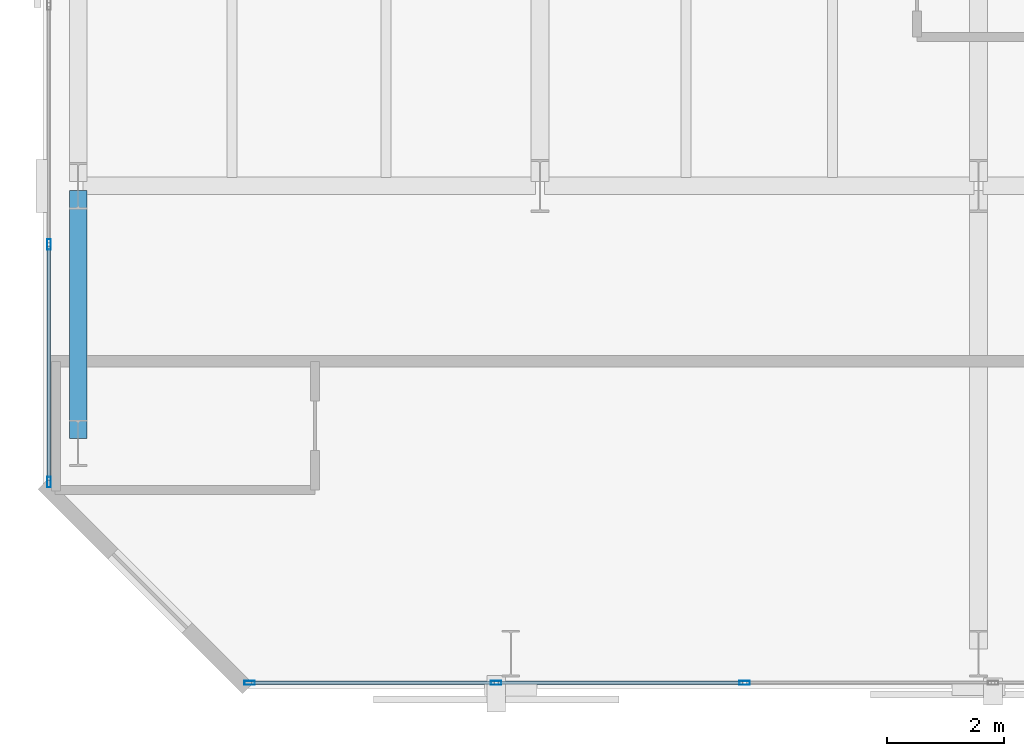
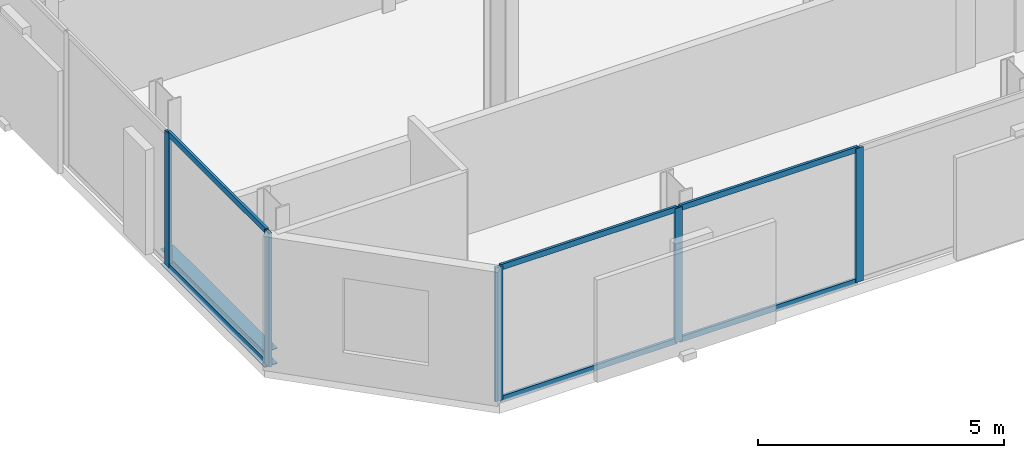
# One storey, part 3 of 33: 11 members, 1 beam, 2 elements without a shape of their own.
"""IFC4 building model written with IfcOpenShell, lengths in metres."""

from ifc_helpers import new_model, si_unit, direction, frame, origin, origin_2d, place, context, subcontext, project, spatial, hollow_rectangle, i_section, extrude, material, layer, layer_set, material_profile, profile_set, type_object, element, aggregate, save


model = new_model("IFC4")

# Units and contexts
model_context = context("Model", 3, precision=1e-05, world=origin(), true_north=direction((0.0, 1.0)))
body_context = subcontext(model_context, "Body", "Model", "MODEL_VIEW")
ifc_project = project(units=[si_unit("LENGTHUNIT", "METRE"), si_unit("AREAUNIT", "SQUARE_METRE"), si_unit("VOLUMEUNIT", "CUBIC_METRE"), si_unit("PLANEANGLEUNIT", "RADIAN"), si_unit("MASSUNIT", "GRAM", prefix="KILO")], contexts=[model_context])

# Site, building, storey
site_placement = place(None, origin())
site = spatial("IfcSite", under=ifc_project, at=site_placement, CompositionType="ELEMENT")
building_placement = place(site_placement, origin())
building = spatial("IfcBuilding", under=site, at=building_placement, Name="Catumbela Crestline Tower", CompositionType="ELEMENT")
storey_placement = place(building_placement, frame((0.0, 0.0, 43.8)))
storey = spatial("IfcBuildingStorey", under=building, at=storey_placement, Name="L10", CompositionType="ELEMENT", Elevation=43.8)

# Curtain wall, members
ifc_material_1 = material(Name="Aluminium alloy AW-6060-T66", Category="aluminium")
ifc_layer = layer(ifc_material_1, 0.18, Name="Aluminium alloy AW-6060-T66")
ifc_layer_set = layer_set([ifc_layer], Name="Aluminium alloy AW-6060-T66")
curtain_wall_type = type_object("IfcCurtainWallType", Name="CWU-Z1", PredefinedType="USERDEFINED", material=ifc_layer_set)
curtain_wall_1_placement = place(storey_placement, origin())
curtain_wall_1 = element("IfcCurtainWall", 1, at=curtain_wall_1_placement, inside=storey, type_object=curtain_wall_type, Name="L10 Unitised Curtain Wall CW-L10-E0S1", ObjectType="UNITISED", PredefinedType="USERDEFINED")
ifc_material_profile_1 = material_profile(ifc_material_1, hollow_rectangle(XDim=0.065, YDim=0.18, WallThickness=0.004, at=origin_2d()), Name="ALU 180x65x4")
ifc_profile_set_1 = profile_set([ifc_material_profile_1], Name="Aluminium alloy AW-6060-T66")
member_type_1 = type_object("IfcMemberType", Name="MUL-180X65", PredefinedType="MULLION", material=ifc_profile_set_1)
member_1_placement = place(storey_placement, frame((3.5325, 0.1, 0.0), z_axis=(0.0, 0.0, 1.0), x_axis=(0.0, 1.0, 0.0)))
member_1 = element("IfcMember", 2, at=member_1_placement, type_object=member_type_1, Name="CWU-Z1 mullion 1", PredefinedType="MULLION", context=body_context, shape_type="SweptSolid", body=[
    extrude(hollow_rectangle(XDim=0.065, YDim=0.18, WallThickness=0.004, at=origin_2d()), origin(), (0.0, 0.0, 1.0), 3.33),
])
member_2_placement = place(storey_placement, frame((7.75, 0.1, 0.0), z_axis=(0.0, 0.0, 1.0), x_axis=(0.0, 1.0, 0.0)))
member_2 = element("IfcMember", 3, at=member_2_placement, type_object=member_type_1, Name="CWU-Z1 mullion 2", PredefinedType="MULLION", context=body_context, shape_type="SweptSolid", body=[
    extrude(hollow_rectangle(XDim=0.065, YDim=0.18, WallThickness=0.004, at=origin_2d()), origin(), (0.0, 0.0, 1.0), 3.33),
])
member_3_placement = place(storey_placement, frame((12.0, 0.1, 0.0), z_axis=(0.0, 0.0, 1.0), x_axis=(0.0, 1.0, 0.0)))
member_3 = element("IfcMember", 4, at=member_3_placement, type_object=member_type_1, Name="CWU-Z1 mullion 3", PredefinedType="MULLION", context=body_context, shape_type="SweptSolid", body=[
    extrude(hollow_rectangle(XDim=0.065, YDim=0.18, WallThickness=0.004, at=origin_2d()), origin(), (0.0, 0.0, 1.0), 3.33),
])

curtain_wall_2_placement = place(storey_placement, origin())
curtain_wall_2 = element("IfcCurtainWall", 5, at=curtain_wall_2_placement, inside=storey, type_object=curtain_wall_type, Name="L10 Unitised Curtain Wall CW-L10-E9S1", ObjectType="UNITISED", PredefinedType="USERDEFINED")
member_4_placement = place(storey_placement, frame((0.1, 7.6, 0.0), z_axis=(0.0, 0.0, 1.0), x_axis=(1.0, 0.0, 0.0)))
member_4 = element("IfcMember", 6, at=member_4_placement, type_object=member_type_1, Name="CWU-Z1 mullion 10", PredefinedType="MULLION", context=body_context, shape_type="SweptSolid", body=[
    extrude(hollow_rectangle(XDim=0.065, YDim=0.18, WallThickness=0.004, at=origin_2d()), origin(), (0.0, 0.0, 1.0), 3.33),
])
member_5_placement = place(storey_placement, frame((0.1, 3.5325, 0.0), z_axis=(0.0, 0.0, 1.0), x_axis=(1.0, 0.0, 0.0)))
member_5 = element("IfcMember", 7, at=member_5_placement, type_object=member_type_1, Name="CWU-Z1 mullion 11", PredefinedType="MULLION", context=body_context, shape_type="SweptSolid", body=[
    extrude(hollow_rectangle(XDim=0.065, YDim=0.18, WallThickness=0.004, at=origin_2d()), origin(), (0.0, 0.0, 1.0), 3.33),
])

# Beam
ifc_material_2 = material(Name="Structural steel S355J2", Category="steel")
ifc_material_profile_2 = material_profile(ifc_material_2, i_section(OverallWidth=0.3, OverallDepth=0.39, WebThickness=0.011, FlangeThickness=0.019, FilletRadius=0.027, at=origin_2d()), Name="HEA 400")
ifc_profile_set_2 = profile_set([ifc_material_profile_2], Name="Structural steel S355J2")
beam_type = type_object("IfcBeamType", Name="BS-HEA400", PredefinedType="SPANDREL", material=ifc_profile_set_2)
beam_placement = place(storey_placement, frame((0.6, 4.28, -0.455), z_axis=(0.0, 1.0, 0.0), x_axis=(-1.0, 0.0, 0.0)))
element("IfcBeam", 8, at=beam_placement, inside=storey, type_object=beam_type, Name="L10 Spandrel SP-L10-WNS57", PredefinedType="SPANDREL", context=body_context, shape_type="SweptSolid", body=[
    extrude(i_section(OverallWidth=0.3, OverallDepth=0.39, WebThickness=0.011, FlangeThickness=0.019, FilletRadius=0.027, at=origin_2d()), origin(), (0.0, 0.0, 1.0), 4.24),
])

# Member
ifc_material_profile_3 = material_profile(ifc_material_1, hollow_rectangle(XDim=0.06, YDim=0.14, WallThickness=0.004, at=origin_2d()), Name="ALU 140x60x4")
ifc_profile_set_3 = profile_set([ifc_material_profile_3], Name="Aluminium alloy AW-6060-T66")
member_type_2 = type_object("IfcMemberType", Name="TRN-140X60", PredefinedType="USERDEFINED", material=ifc_profile_set_3)
member_6_placement = place(storey_placement, frame((3.565, 0.1, 0.03), z_axis=(1.0, 0.0, 0.0), x_axis=(0.0, 1.0, 0.0)))
member_6 = element("IfcMember", 9, at=member_6_placement, type_object=member_type_2, Name="CWU-Z1 transom 1.1", ObjectType="TRANSOM", PredefinedType="USERDEFINED", context=body_context, shape_type="SweptSolid", body=[
    extrude(hollow_rectangle(XDim=0.06, YDim=0.14, WallThickness=0.004, at=origin_2d()), origin(), (0.0, 0.0, 1.0), 4.1525),
])

member_7_placement = place(storey_placement, frame((3.565, 0.1, 3.3), z_axis=(1.0, 0.0, 0.0), x_axis=(0.0, 1.0, 0.0)))
member_7 = element("IfcMember", 10, at=member_7_placement, type_object=member_type_2, Name="CWU-Z1 transom 1.2", ObjectType="TRANSOM", PredefinedType="USERDEFINED", context=body_context, shape_type="SweptSolid", body=[
    extrude(hollow_rectangle(XDim=0.06, YDim=0.14, WallThickness=0.004, at=origin_2d()), origin(), (0.0, 0.0, 1.0), 4.1525),
])

member_8_placement = place(storey_placement, frame((7.7825, 0.1, 0.03), z_axis=(1.0, 0.0, 0.0), x_axis=(0.0, 1.0, 0.0)))
member_8 = element("IfcMember", 11, at=member_8_placement, type_object=member_type_2, Name="CWU-Z1 transom 2.1", ObjectType="TRANSOM", PredefinedType="USERDEFINED", context=body_context, shape_type="SweptSolid", body=[
    extrude(hollow_rectangle(XDim=0.06, YDim=0.14, WallThickness=0.004, at=origin_2d()), origin(), (0.0, 0.0, 1.0), 4.185),
])

member_9_placement = place(storey_placement, frame((7.7825, 0.1, 3.3), z_axis=(1.0, 0.0, 0.0), x_axis=(0.0, 1.0, 0.0)))
member_9 = element("IfcMember", 12, at=member_9_placement, type_object=member_type_2, Name="CWU-Z1 transom 2.2", ObjectType="TRANSOM", PredefinedType="USERDEFINED", context=body_context, shape_type="SweptSolid", body=[
    extrude(hollow_rectangle(XDim=0.06, YDim=0.14, WallThickness=0.004, at=origin_2d()), origin(), (0.0, 0.0, 1.0), 4.185),
])

aggregate(curtain_wall_1, [member_1, member_2, member_3, member_6, member_7, member_8, member_9])

member_10_placement = place(storey_placement, frame((0.1, 7.5675, 0.03), z_axis=(0.0, -1.0, 0.0), x_axis=(1.0, 0.0, 0.0)))
member_10 = element("IfcMember", 13, at=member_10_placement, type_object=member_type_2, Name="CWU-Z1 transom 10.1", ObjectType="TRANSOM", PredefinedType="USERDEFINED", context=body_context, shape_type="SweptSolid", body=[
    extrude(hollow_rectangle(XDim=0.06, YDim=0.14, WallThickness=0.004, at=origin_2d()), origin(), (0.0, 0.0, 1.0), 4.0025),
])

member_11_placement = place(storey_placement, frame((0.1, 7.5675, 3.3), z_axis=(0.0, -1.0, 0.0), x_axis=(1.0, 0.0, 0.0)))
member_11 = element("IfcMember", 14, at=member_11_placement, type_object=member_type_2, Name="CWU-Z1 transom 10.2", ObjectType="TRANSOM", PredefinedType="USERDEFINED", context=body_context, shape_type="SweptSolid", body=[
    extrude(hollow_rectangle(XDim=0.06, YDim=0.14, WallThickness=0.004, at=origin_2d()), origin(), (0.0, 0.0, 1.0), 4.0025),
])

aggregate(curtain_wall_2, [member_4, member_5, member_10, member_11])

save(model, "model.ifc")
